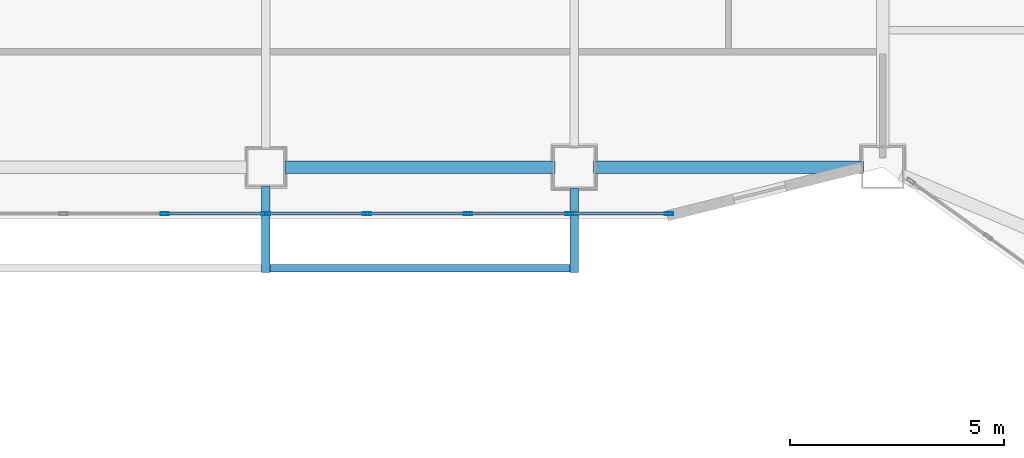
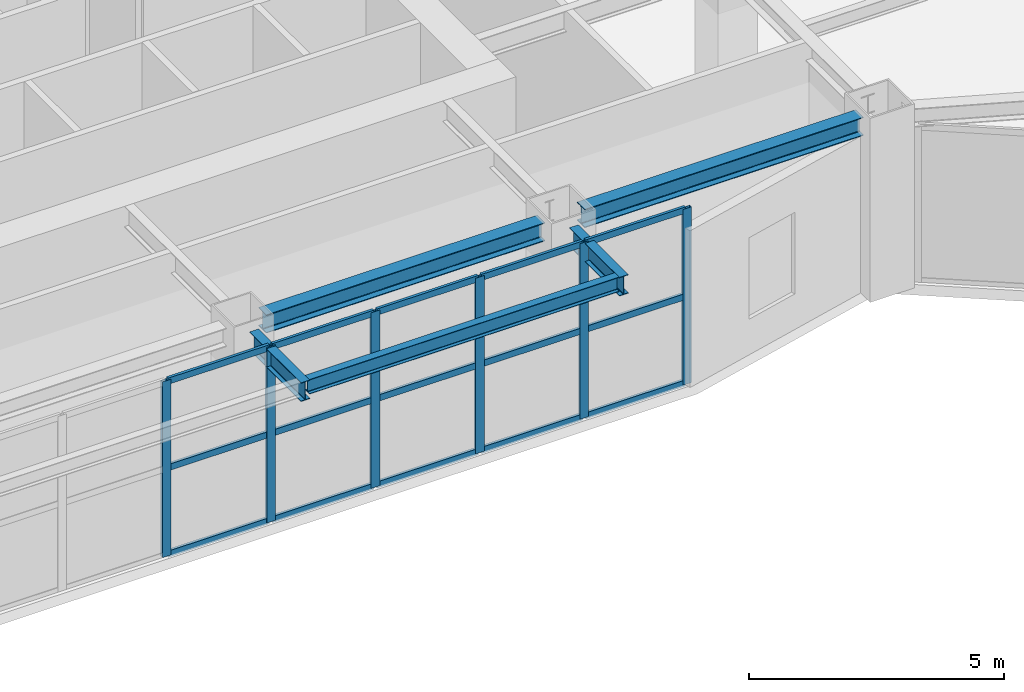
# One storey, part 6 of 19: 21 members, 5 beams, 1 element without a shape of its own.
"""IFC4 building model written with IfcOpenShell, lengths in metres."""

from ifc_helpers import new_model, si_unit, direction, frame, origin, origin_2d, place, context, subcontext, project, spatial, hollow_rectangle, i_section, extrude, material, layer, layer_set, material_profile, profile_set, type_object, element, aggregate, save


model = new_model("IFC4")

# Units and contexts
model_context = context("Model", 3, precision=1e-05, world=origin(), true_north=direction((0.0, 1.0)))
body_context = subcontext(model_context, "Body", "Model", "MODEL_VIEW")
ifc_project = project(units=[si_unit("LENGTHUNIT", "METRE"), si_unit("AREAUNIT", "SQUARE_METRE"), si_unit("VOLUMEUNIT", "CUBIC_METRE"), si_unit("PLANEANGLEUNIT", "RADIAN"), si_unit("MASSUNIT", "GRAM", prefix="KILO")], contexts=[model_context])

# Site, building, storey
site_placement = place(None, origin())
site = spatial("IfcSite", under=ifc_project, at=site_placement, CompositionType="ELEMENT")
building_placement = place(site_placement, origin())
building = spatial("IfcBuilding", under=site, at=building_placement, Name="Haolan Belvedere Tower", CompositionType="ELEMENT")
storey_placement = place(building_placement, frame((0.0, 0.0, 94.0)))
storey = spatial("IfcBuildingStorey", under=building, at=storey_placement, Name="L23", CompositionType="ELEMENT", Elevation=94.0)

# Beams
ifc_material_1 = material(Name="Steel Q355B", Category="steel")
ifc_material_profile_1 = material_profile(ifc_material_1, i_section(OverallWidth=0.300048828125, OverallDepth=0.43994140625, WebThickness=0.010986328125, FlangeThickness=0.01806640625, FilletRadius=0.02392578125, at=origin_2d()), Name="Steel Q355B")
ifc_profile_set_1 = profile_set([ifc_material_profile_1], Name="Steel Q355B")
beam_type_1 = type_object("IfcBeamType", Name="BM-HM440x300x11x18", PredefinedType="SPANDREL", material=ifc_profile_set_1)
beam_1_placement = place(storey_placement, frame((38.85009765625, 21.60009765625, 3.97998046875), z_axis=(1.0, 0.0, 0.0), x_axis=(0.0, 1.0, 0.0)))
element("IfcBeam", 1, at=beam_1_placement, inside=storey, type_object=beam_type_1, Name="L23 spandrel girder TC-T3-SM-MC-T3-S2", PredefinedType="SPANDREL", context=body_context, shape_type="SweptSolid", body=[
    extrude(i_section(OverallWidth=0.300048828125, OverallDepth=0.43994140625, WebThickness=0.010986328125, FlangeThickness=0.01806640625, FilletRadius=0.02392578125, at=origin_2d()), origin(), (0.0, 0.0, 1.0), 6.2998046875),
])
beam_2_placement = place(storey_placement, frame((46.050048828125, 21.60009765625, 3.97998046875), z_axis=(1.0, 0.0, 0.0), x_axis=(0.0, 1.0, 0.0)))
element("IfcBeam", 2, at=beam_2_placement, inside=storey, type_object=beam_type_1, Name="L23 spandrel girder MC-T3-S2-MC-T3-SE", PredefinedType="SPANDREL", context=body_context, shape_type="SweptSolid", body=[
    extrude(i_section(OverallWidth=0.300048828125, OverallDepth=0.43994140625, WebThickness=0.010986328125, FlangeThickness=0.01806640625, FilletRadius=0.02392578125, at=origin_2d()), origin(), (0.0, 0.0, 1.0), 6.300048828125),
])
ifc_material_profile_2 = material_profile(ifc_material_1, i_section(OverallWidth=0.175048828125, OverallDepth=0.35009765625, WebThickness=0.007080078125, FlangeThickness=0.010986328125, FilletRadius=0.012939453125, at=origin_2d()), Name="Steel Q355B")
ifc_profile_set_2 = profile_set([ifc_material_profile_2], Name="Steel Q355B")
beam_type_2 = type_object("IfcBeamType", Name="BM-HN350x175x7x11", PredefinedType="JOIST", material=ifc_profile_set_2)
beam_3_placement = place(storey_placement, frame((38.5, 19.239990234375, 3.9951171875), z_axis=(1.0, 0.0, 0.0), x_axis=(0.0, 1.0, 0.0)))
element("IfcBeam", 3, at=beam_3_placement, inside=storey, type_object=beam_type_2, Name="L24 tree-balcony front trimmer beam 2", PredefinedType="BEAM", context=body_context, shape_type="SweptSolid", body=[
    extrude(i_section(OverallWidth=0.175048828125, OverallDepth=0.35009765625, WebThickness=0.007080078125, FlangeThickness=0.010986328125, FilletRadius=0.012939453125, at=origin_2d()), origin(), (0.0, 0.0, 1.0), 7.0),
])
ifc_material_profile_3 = material_profile(ifc_material_1, i_section(OverallWidth=0.199951171875, OverallDepth=0.449951171875, WebThickness=0.009033203125, FlangeThickness=0.013916015625, FilletRadius=0.01611328125, at=origin_2d()), Name="Steel Q355B")
ifc_profile_set_3 = profile_set([ifc_material_profile_3], Name="Steel Q355B")
beam_type_3 = type_object("IfcBeamType", Name="BM-HN450x200x9x14", PredefinedType="BEAM", material=ifc_profile_set_3)
beam_4_placement = place(storey_placement, frame((38.39990234375, 21.14990234375, 3.945068359375), z_axis=(0.0, -1.0, 0.0), x_axis=(1.0, 0.0, 0.0)))
element("IfcBeam", 4, at=beam_4_placement, inside=storey, type_object=beam_type_3, Name="L24 tree-balcony column cantilever TC-T3-SM", PredefinedType="BEAM", context=body_context, shape_type="SweptSolid", body=[
    extrude(i_section(OverallWidth=0.199951171875, OverallDepth=0.449951171875, WebThickness=0.009033203125, FlangeThickness=0.013916015625, FilletRadius=0.01611328125, at=origin_2d()), origin(), (0.0, 0.0, 1.0), 2.010009765625),
])
beam_5_placement = place(storey_placement, frame((45.60009765625, 21.10009765625, 3.945068359375), z_axis=(0.0, -1.0, 0.0), x_axis=(1.0, 0.0, 0.0)))
element("IfcBeam", 5, at=beam_5_placement, inside=storey, type_object=beam_type_3, Name="L24 tree-balcony column cantilever MC-T3-S2", PredefinedType="BEAM", context=body_context, shape_type="SweptSolid", body=[
    extrude(i_section(OverallWidth=0.199951171875, OverallDepth=0.449951171875, WebThickness=0.009033203125, FlangeThickness=0.013916015625, FilletRadius=0.01611328125, at=origin_2d()), origin(), (0.0, 0.0, 1.0), 1.960205078125),
])

# Curtain wall, members
ifc_material_2 = material(Name="Anodised champagne-silver aluminium 6063-T6 and Low-E glass", Category="aluminium")
ifc_layer = layer(ifc_material_2, 0.195068359375, Name="Anodised champagne-silver aluminium 6063-T6 and Low-E glass")
ifc_layer_set = layer_set([ifc_layer], Name="Anodised champagne-silver aluminium 6063-T6 and Low-E glass")
curtain_wall_type = type_object("IfcCurtainWallType", Name="CW-SYS-06", PredefinedType="NOTDEFINED", material=ifc_layer_set)
curtain_wall_placement = place(storey_placement, origin())
curtain_wall = element("IfcCurtainWall", 6, at=curtain_wall_placement, inside=storey, type_object=curtain_wall_type, Name="L23 CW-SYS-06 ribbon curtain wall 7.1", PredefinedType="NOTDEFINED")
ifc_material_3 = material(Name="Anodised aluminium 6063-T6", Category="aluminium")
ifc_material_profile_4 = material_profile(ifc_material_3, hollow_rectangle(XDim=0.070068359375, YDim=0.195068359375, WallThickness=0.00390625, at=origin_2d()), Name="Anodised aluminium 6063-T6")
ifc_profile_set_4 = profile_set([ifc_material_profile_4], Name="Anodised aluminium 6063-T6")
member_type_1 = type_object("IfcMemberType", Name="CW-SYS-06-MUL", PredefinedType="MULLION", material=ifc_profile_set_4)
member_1_placement = place(storey_placement, frame((36.038818359375, 20.52001953125, 0.0), z_axis=(0.0, 0.0, 1.0), x_axis=(0.0, 1.0, 0.0)))
member_1 = element("IfcMember", 7, at=member_1_placement, type_object=member_type_1, Name="CW-06 mullion 4", PredefinedType="MULLION", context=body_context, shape_type="SweptSolid", body=[
    extrude(hollow_rectangle(XDim=0.070068359375, YDim=0.195068359375, WallThickness=0.00390625, at=origin_2d()), origin(), (0.0, 0.0, 1.0), 4.199951171875),
])
member_2_placement = place(storey_placement, frame((38.39990234375, 20.52001953125, 0.0), z_axis=(0.0, 0.0, 1.0), x_axis=(0.0, 1.0, 0.0)))
member_2 = element("IfcMember", 8, at=member_2_placement, type_object=member_type_1, Name="CW-06 mullion 5", PredefinedType="MULLION", context=body_context, shape_type="SweptSolid", body=[
    extrude(hollow_rectangle(XDim=0.070068359375, YDim=0.195068359375, WallThickness=0.00390625, at=origin_2d()), origin(), (0.0, 0.0, 1.0), 4.199951171875),
])
member_3_placement = place(storey_placement, frame((40.76123046875, 20.52001953125, 0.0), z_axis=(0.0, 0.0, 1.0), x_axis=(0.0, 1.0, 0.0)))
member_3 = element("IfcMember", 9, at=member_3_placement, type_object=member_type_1, Name="CW-06 mullion 6", PredefinedType="MULLION", context=body_context, shape_type="SweptSolid", body=[
    extrude(hollow_rectangle(XDim=0.070068359375, YDim=0.195068359375, WallThickness=0.00390625, at=origin_2d()), origin(), (0.0, 0.0, 1.0), 4.199951171875),
])
member_4_placement = place(storey_placement, frame((43.12255859375, 20.52001953125, 0.0), z_axis=(0.0, 0.0, 1.0), x_axis=(0.0, 1.0, 0.0)))
member_4 = element("IfcMember", 10, at=member_4_placement, type_object=member_type_1, Name="CW-06 mullion 7", PredefinedType="MULLION", context=body_context, shape_type="SweptSolid", body=[
    extrude(hollow_rectangle(XDim=0.070068359375, YDim=0.195068359375, WallThickness=0.00390625, at=origin_2d()), origin(), (0.0, 0.0, 1.0), 4.199951171875),
])
member_5_placement = place(storey_placement, frame((45.48388671875, 20.52001953125, 0.0), z_axis=(0.0, 0.0, 1.0), x_axis=(0.0, 1.0, 0.0)))
member_5 = element("IfcMember", 11, at=member_5_placement, type_object=member_type_1, Name="CW-06 mullion 8", PredefinedType="MULLION", context=body_context, shape_type="SweptSolid", body=[
    extrude(hollow_rectangle(XDim=0.070068359375, YDim=0.195068359375, WallThickness=0.00390625, at=origin_2d()), origin(), (0.0, 0.0, 1.0), 4.199951171875),
])
member_6_placement = place(storey_placement, frame((47.810302734375, 20.52001953125, 0.0), z_axis=(0.0, 0.0, 1.0), x_axis=(0.0, 1.0, 0.0)))
member_6 = element("IfcMember", 12, at=member_6_placement, type_object=member_type_1, Name="CW-06 mullion 9", PredefinedType="MULLION", context=body_context, shape_type="SweptSolid", body=[
    extrude(hollow_rectangle(XDim=0.070068359375, YDim=0.195068359375, WallThickness=0.00390625, at=origin_2d()), origin(), (0.0, 0.0, 1.0), 4.199951171875),
])
ifc_material_profile_5 = material_profile(ifc_material_3, hollow_rectangle(XDim=0.06494140625, YDim=0.14990234375, WallThickness=0.00390625, at=origin_2d()), Name="Anodised aluminium 6063-T6")
ifc_profile_set_5 = profile_set([ifc_material_profile_5], Name="Anodised aluminium 6063-T6")
member_type_2 = type_object("IfcMemberType", Name="CW-SYS-06-TRN", PredefinedType="USERDEFINED", material=ifc_profile_set_5)
member_7_placement = place(storey_placement, frame((36.07373046875, 20.52001953125, 0.032470703125), z_axis=(1.0, 0.0, 0.0), x_axis=(0.0, 1.0, 0.0)))
member_7 = element("IfcMember", 13, at=member_7_placement, type_object=member_type_2, Name="CW-06 transom 4.1", ObjectType="TRANSOM", PredefinedType="USERDEFINED", context=body_context, shape_type="SweptSolid", body=[
    extrude(hollow_rectangle(XDim=0.06494140625, YDim=0.14990234375, WallThickness=0.00390625, at=origin_2d()), origin(), (0.0, 0.0, 1.0), 2.291259765625),
])
member_8_placement = place(storey_placement, frame((36.07373046875, 20.52001953125, 2.10009765625), z_axis=(1.0, 0.0, 0.0), x_axis=(0.0, 1.0, 0.0)))
member_8 = element("IfcMember", 14, at=member_8_placement, type_object=member_type_2, Name="CW-06 transom 4.2", ObjectType="TRANSOM", PredefinedType="USERDEFINED", context=body_context, shape_type="SweptSolid", body=[
    extrude(hollow_rectangle(XDim=0.06494140625, YDim=0.14990234375, WallThickness=0.00390625, at=origin_2d()), origin(), (0.0, 0.0, 1.0), 2.291259765625),
])
member_9_placement = place(storey_placement, frame((36.07373046875, 20.52001953125, 4.16748046875), z_axis=(1.0, 0.0, 0.0), x_axis=(0.0, 1.0, 0.0)))
member_9 = element("IfcMember", 15, at=member_9_placement, type_object=member_type_2, Name="CW-06 transom 4.3", ObjectType="TRANSOM", PredefinedType="USERDEFINED", context=body_context, shape_type="SweptSolid", body=[
    extrude(hollow_rectangle(XDim=0.06494140625, YDim=0.14990234375, WallThickness=0.00390625, at=origin_2d()), origin(), (0.0, 0.0, 1.0), 2.291259765625),
])
member_10_placement = place(storey_placement, frame((38.43505859375, 20.52001953125, 0.032470703125), z_axis=(1.0, 0.0, 0.0), x_axis=(0.0, 1.0, 0.0)))
member_10 = element("IfcMember", 16, at=member_10_placement, type_object=member_type_2, Name="CW-06 transom 5.1", ObjectType="TRANSOM", PredefinedType="USERDEFINED", context=body_context, shape_type="SweptSolid", body=[
    extrude(hollow_rectangle(XDim=0.06494140625, YDim=0.14990234375, WallThickness=0.00390625, at=origin_2d()), origin(), (0.0, 0.0, 1.0), 2.291259765625),
])
member_11_placement = place(storey_placement, frame((38.43505859375, 20.52001953125, 2.10009765625), z_axis=(1.0, 0.0, 0.0), x_axis=(0.0, 1.0, 0.0)))
member_11 = element("IfcMember", 17, at=member_11_placement, type_object=member_type_2, Name="CW-06 transom 5.2", ObjectType="TRANSOM", PredefinedType="USERDEFINED", context=body_context, shape_type="SweptSolid", body=[
    extrude(hollow_rectangle(XDim=0.06494140625, YDim=0.14990234375, WallThickness=0.00390625, at=origin_2d()), origin(), (0.0, 0.0, 1.0), 2.291259765625),
])
member_12_placement = place(storey_placement, frame((38.43505859375, 20.52001953125, 4.16748046875), z_axis=(1.0, 0.0, 0.0), x_axis=(0.0, 1.0, 0.0)))
member_12 = element("IfcMember", 18, at=member_12_placement, type_object=member_type_2, Name="CW-06 transom 5.3", ObjectType="TRANSOM", PredefinedType="USERDEFINED", context=body_context, shape_type="SweptSolid", body=[
    extrude(hollow_rectangle(XDim=0.06494140625, YDim=0.14990234375, WallThickness=0.00390625, at=origin_2d()), origin(), (0.0, 0.0, 1.0), 2.291259765625),
])
member_13_placement = place(storey_placement, frame((40.79638671875, 20.52001953125, 0.032470703125), z_axis=(1.0, 0.0, 0.0), x_axis=(0.0, 1.0, 0.0)))
member_13 = element("IfcMember", 19, at=member_13_placement, type_object=member_type_2, Name="CW-06 transom 6.1", ObjectType="TRANSOM", PredefinedType="USERDEFINED", context=body_context, shape_type="SweptSolid", body=[
    extrude(hollow_rectangle(XDim=0.06494140625, YDim=0.14990234375, WallThickness=0.00390625, at=origin_2d()), origin(), (0.0, 0.0, 1.0), 2.291259765625),
])
member_14_placement = place(storey_placement, frame((40.79638671875, 20.52001953125, 2.10009765625), z_axis=(1.0, 0.0, 0.0), x_axis=(0.0, 1.0, 0.0)))
member_14 = element("IfcMember", 20, at=member_14_placement, type_object=member_type_2, Name="CW-06 transom 6.2", ObjectType="TRANSOM", PredefinedType="USERDEFINED", context=body_context, shape_type="SweptSolid", body=[
    extrude(hollow_rectangle(XDim=0.06494140625, YDim=0.14990234375, WallThickness=0.00390625, at=origin_2d()), origin(), (0.0, 0.0, 1.0), 2.291259765625),
])
member_15_placement = place(storey_placement, frame((40.79638671875, 20.52001953125, 4.16748046875), z_axis=(1.0, 0.0, 0.0), x_axis=(0.0, 1.0, 0.0)))
member_15 = element("IfcMember", 21, at=member_15_placement, type_object=member_type_2, Name="CW-06 transom 6.3", ObjectType="TRANSOM", PredefinedType="USERDEFINED", context=body_context, shape_type="SweptSolid", body=[
    extrude(hollow_rectangle(XDim=0.06494140625, YDim=0.14990234375, WallThickness=0.00390625, at=origin_2d()), origin(), (0.0, 0.0, 1.0), 2.291259765625),
])
member_16_placement = place(storey_placement, frame((43.15771484375, 20.52001953125, 0.032470703125), z_axis=(1.0, 0.0, 0.0), x_axis=(0.0, 1.0, 0.0)))
member_16 = element("IfcMember", 22, at=member_16_placement, type_object=member_type_2, Name="CW-06 transom 7.1", ObjectType="TRANSOM", PredefinedType="USERDEFINED", context=body_context, shape_type="SweptSolid", body=[
    extrude(hollow_rectangle(XDim=0.06494140625, YDim=0.14990234375, WallThickness=0.00390625, at=origin_2d()), origin(), (0.0, 0.0, 1.0), 2.291259765625),
])
member_17_placement = place(storey_placement, frame((43.15771484375, 20.52001953125, 2.10009765625), z_axis=(1.0, 0.0, 0.0), x_axis=(0.0, 1.0, 0.0)))
member_17 = element("IfcMember", 23, at=member_17_placement, type_object=member_type_2, Name="CW-06 transom 7.2", ObjectType="TRANSOM", PredefinedType="USERDEFINED", context=body_context, shape_type="SweptSolid", body=[
    extrude(hollow_rectangle(XDim=0.06494140625, YDim=0.14990234375, WallThickness=0.00390625, at=origin_2d()), origin(), (0.0, 0.0, 1.0), 2.291259765625),
])
member_18_placement = place(storey_placement, frame((43.15771484375, 20.52001953125, 4.16748046875), z_axis=(1.0, 0.0, 0.0), x_axis=(0.0, 1.0, 0.0)))
member_18 = element("IfcMember", 24, at=member_18_placement, type_object=member_type_2, Name="CW-06 transom 7.3", ObjectType="TRANSOM", PredefinedType="USERDEFINED", context=body_context, shape_type="SweptSolid", body=[
    extrude(hollow_rectangle(XDim=0.06494140625, YDim=0.14990234375, WallThickness=0.00390625, at=origin_2d()), origin(), (0.0, 0.0, 1.0), 2.291259765625),
])
member_19_placement = place(storey_placement, frame((45.518798828125, 20.52001953125, 0.032470703125), z_axis=(1.0, 0.0, 0.0), x_axis=(0.0, 1.0, 0.0)))
member_19 = element("IfcMember", 25, at=member_19_placement, type_object=member_type_2, Name="CW-06 transom 8.1", ObjectType="TRANSOM", PredefinedType="USERDEFINED", context=body_context, shape_type="SweptSolid", body=[
    extrude(hollow_rectangle(XDim=0.06494140625, YDim=0.14990234375, WallThickness=0.00390625, at=origin_2d()), origin(), (0.0, 0.0, 1.0), 2.25634765625),
])
member_20_placement = place(storey_placement, frame((45.518798828125, 20.52001953125, 2.10009765625), z_axis=(1.0, 0.0, 0.0), x_axis=(0.0, 1.0, 0.0)))
member_20 = element("IfcMember", 26, at=member_20_placement, type_object=member_type_2, Name="CW-06 transom 8.2", ObjectType="TRANSOM", PredefinedType="USERDEFINED", context=body_context, shape_type="SweptSolid", body=[
    extrude(hollow_rectangle(XDim=0.06494140625, YDim=0.14990234375, WallThickness=0.00390625, at=origin_2d()), origin(), (0.0, 0.0, 1.0), 2.25634765625),
])
member_21_placement = place(storey_placement, frame((45.518798828125, 20.52001953125, 4.16748046875), z_axis=(1.0, 0.0, 0.0), x_axis=(0.0, 1.0, 0.0)))
member_21 = element("IfcMember", 27, at=member_21_placement, type_object=member_type_2, Name="CW-06 transom 8.3", ObjectType="TRANSOM", PredefinedType="USERDEFINED", context=body_context, shape_type="SweptSolid", body=[
    extrude(hollow_rectangle(XDim=0.06494140625, YDim=0.14990234375, WallThickness=0.00390625, at=origin_2d()), origin(), (0.0, 0.0, 1.0), 2.25634765625),
])
aggregate(curtain_wall, [member_1, member_2, member_3, member_4, member_5, member_6, member_7, member_8, member_9, member_10, member_11, member_12, member_13, member_14, member_15, member_16, member_17, member_18, member_19, member_20, member_21])

save(model, "model.ifc")
